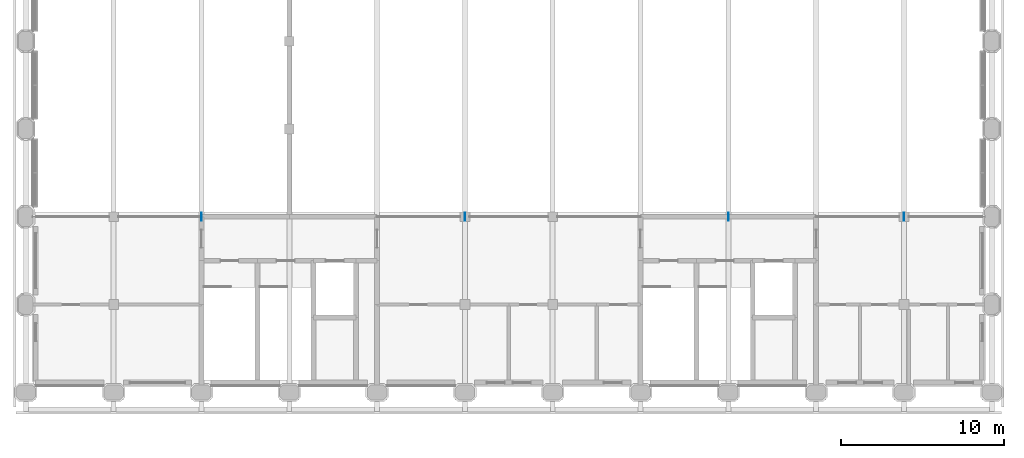
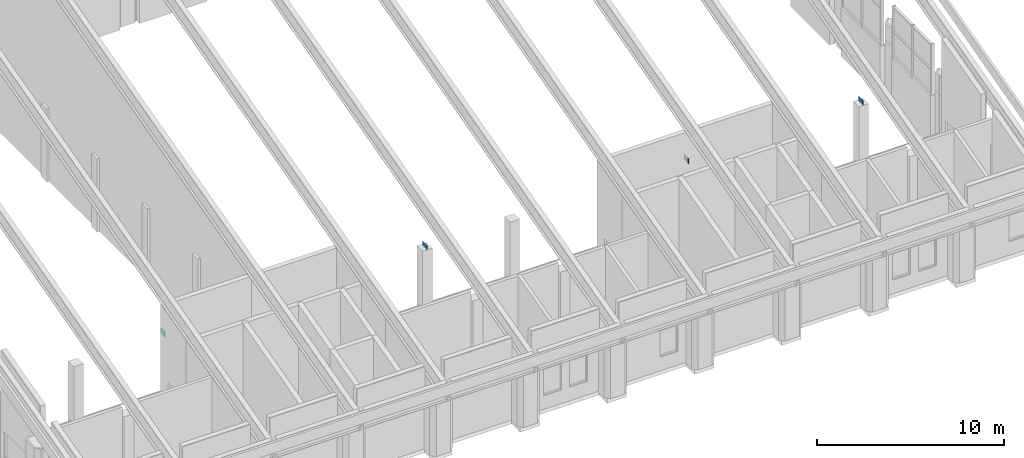
# One storey, part 34 of 42: 4 discrete accessories.
"""IFC4 building model written with IfcOpenShell, lengths in metres."""

from ifc_helpers import new_model, si_unit, direction, frame, origin, origin_2d, place, context, subcontext, project, spatial, rectangle, extrude, material, layer, layer_set, type_object, element, save


model = new_model("IFC4")

# Units and contexts
model_context = context("Model", 3, precision=1e-05, world=origin(), true_north=direction((0.0, 1.0)))
body_context = subcontext(model_context, "Body", "Model", "MODEL_VIEW")
ifc_project = project(units=[si_unit("LENGTHUNIT", "METRE"), si_unit("AREAUNIT", "SQUARE_METRE"), si_unit("VOLUMEUNIT", "CUBIC_METRE"), si_unit("PLANEANGLEUNIT", "RADIAN"), si_unit("MASSUNIT", "GRAM", prefix="KILO")], contexts=[model_context])

# Site, building, storey
site_placement = place(None, origin())
site = spatial("IfcSite", under=ifc_project, at=site_placement, CompositionType="ELEMENT")
building_placement = place(site_placement, origin())
building = spatial("IfcBuilding", under=site, at=building_placement, Name="Tabaq Tower and Sports Hall", CompositionType="ELEMENT")
storey_placement = place(building_placement, frame((0.0, 0.0, 19.800048828125)))
storey = spatial("IfcBuildingStorey", under=building, at=storey_placement, Name="L03", CompositionType="ELEMENT", Elevation=19.800048828125)

# Discrete accessories
ifc_material = material(Name="Steel S355", Category="steel")
ifc_layer = layer(ifc_material, 0.02001953125)
ifc_layer_set = layer_set([ifc_layer], Name="ROOF TRUSS NODE PLATE 500x350x20 S355")
discrete_accessory_type = type_object("IfcDiscreteAccessoryType", Name="ROOF TRUSS NODE PLATE 500x350x20 S355", PredefinedType="ANCHORPLATE", material=ifc_layer_set)
for number, where, z_axis, x_axis, name in (
    (1, (75.60009765625, 10.800048828125, 4.700927734375), (0.0, 0.0, 1.0), (1.0, 0.0, 0.0), "Roof truss 1 node plate 01"),
    (2, (91.800048828125, 10.800048828125, 4.700927734375), (0.0, 0.0, 1.0), (1.0, 0.0, 0.0), "Roof truss 2 node plate 01"),
    (3, (108.0, 10.800048828125, 4.700927734375), (0.0, 0.0, 1.0), (1.0, 0.0, 0.0), "Roof truss 3 node plate 01"),
    (4, (118.800048828125, 10.800048828125, 4.700927734375), (0.0, 0.0, 1.0), (1.0, 0.0, 0.0), "Roof truss 4 node plate 01"),
):
    element("IfcDiscreteAccessory", number, at=place(storey_placement, frame(where, z_axis=z_axis, x_axis=x_axis)), inside=storey, type_object=discrete_accessory_type, Name=name, PredefinedType="ANCHORPLATE", context=body_context, shape_type="SweptSolid", body=[
        extrude(rectangle(XDim=0.02001953125, YDim=0.5, at=origin_2d()), origin(), (0.0, 0.0, 1.0), 0.35009765625),
    ])

save(model, "model.ifc")
